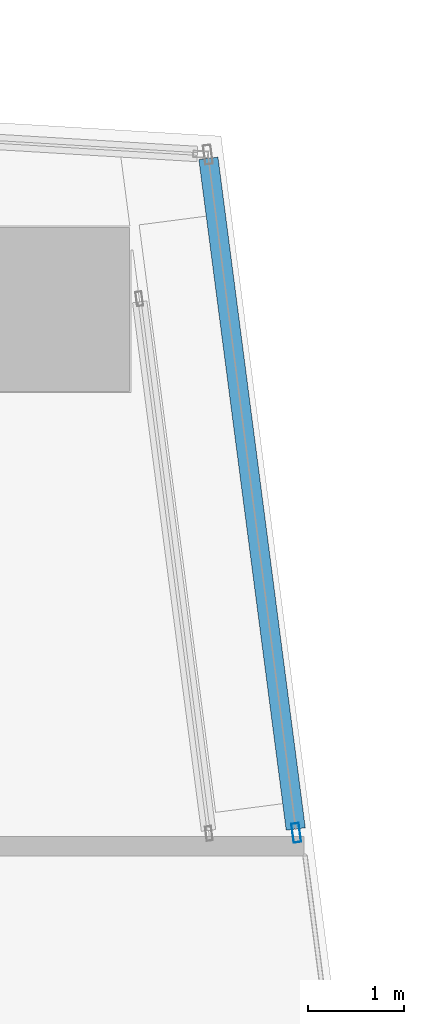
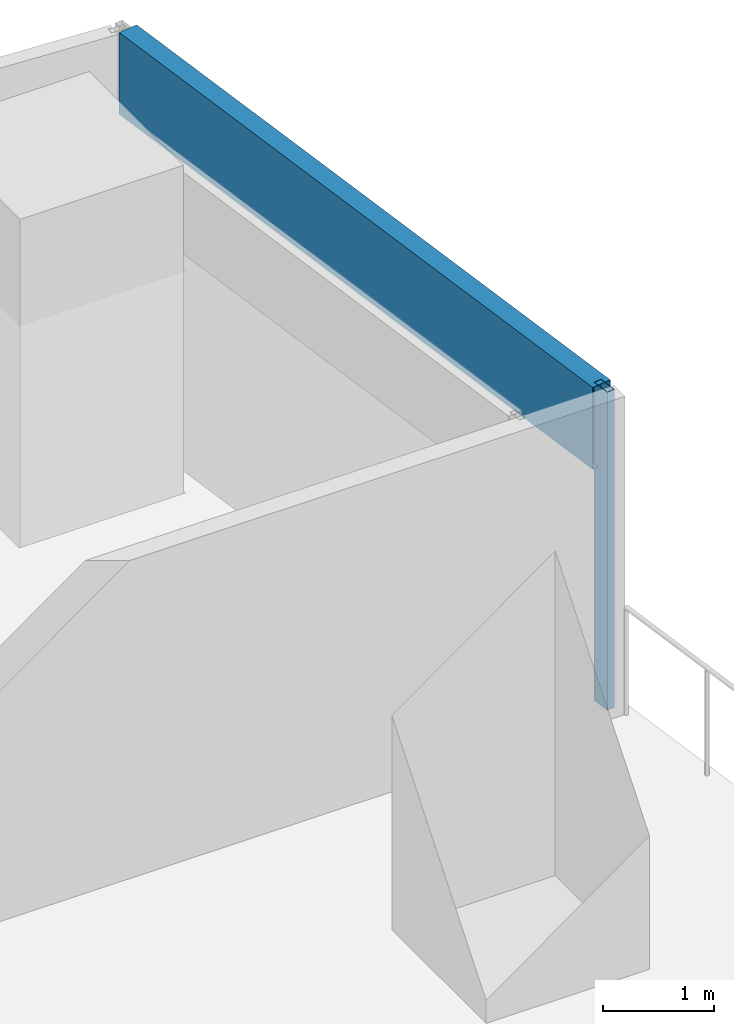
# One storey, part 26 of 40: 2 members, 1 element without a shape of its own.
"""IFC4 building model written with IfcOpenShell, lengths in metres."""

from ifc_helpers import new_model, si_unit, direction, frame, origin, origin_2d, place, context, subcontext, project, spatial, hollow_rectangle, extrude, material, material_profile, profile_set, type_object, element, aggregate, save


model = new_model("IFC4")

# Units and contexts
model_context = context("Model", 3, precision=1e-05, world=origin(), true_north=direction((0.0, 1.0)))
body_context = subcontext(model_context, "Body", "Model", "MODEL_VIEW")
ifc_project = project(units=[si_unit("LENGTHUNIT", "METRE"), si_unit("AREAUNIT", "SQUARE_METRE"), si_unit("VOLUMEUNIT", "CUBIC_METRE"), si_unit("PLANEANGLEUNIT", "RADIAN"), si_unit("MASSUNIT", "GRAM", prefix="KILO")], contexts=[model_context])

# Site, building, storey
site_placement = place(None, origin())
site = spatial("IfcSite", under=ifc_project, at=site_placement, CompositionType="ELEMENT")
building_placement = place(site_placement, origin())
building = spatial("IfcBuilding", under=site, at=building_placement, Name="Rekha Terrace Tower", CompositionType="ELEMENT")
storey_placement = place(building_placement, frame((0.0, 0.0, 129.050048828125)))
storey = spatial("IfcBuildingStorey", under=building, at=storey_placement, Name="L32", CompositionType="ELEMENT", Elevation=129.050048828125)

# Curtain wall, members
ifc_material_1 = material(Name="Aluminium framing", Category="aluminium")
curtain_wall_type = type_object("IfcCurtainWallType", Name="CW2 double skin outer glazing", PredefinedType="USERDEFINED", material=ifc_material_1)
curtain_wall_placement = place(storey_placement, origin())
curtain_wall = element("IfcCurtainWall", 1, at=curtain_wall_placement, inside=storey, type_object=curtain_wall_type, Name="CW2 double skin outer glazing", ObjectType="DOUBLE SKIN OUTER GLAZING", PredefinedType="USERDEFINED")
ifc_material_2 = material(Name="Aluminium mullion section", Category="aluminium")
ifc_material_profile_1 = material_profile(ifc_material_2, hollow_rectangle(XDim=0.080078125, YDim=0.199951171875, WallThickness=0.00390625, at=origin_2d()), Name="AL RHS 80x200")
ifc_profile_set_1 = profile_set([ifc_material_profile_1], Name="Aluminium mullion section")
member_type_1 = type_object("IfcMemberType", Name="CW2 mullion RHS 80 x 200", PredefinedType="MULLION", material=ifc_profile_set_1)
member_1_placement = place(storey_placement, frame((69.78076171875, 53.36474609375, 0.0), z_axis=(0.0, 0.0, 1.0), x_axis=(-0.991629186232, -0.12911838371, 0.0)))
member_1 = element("IfcMember", 2, at=member_1_placement, type_object=member_type_1, Name="CW2 mullion 1", PredefinedType="MULLION", context=body_context, shape_type="SweptSolid", body=[
    extrude(hollow_rectangle(XDim=0.080078125, YDim=0.199951171875, WallThickness=0.00390625, at=origin_2d()), origin(), (0.0, 0.0, 1.0), 3.5),
])
ifc_material_3 = material(Name="Insulated aluminium spandrel box", Category="aluminium")
ifc_material_profile_2 = material_profile(ifc_material_3, hollow_rectangle(XDim=0.199951171875, YDim=0.89990234375, WallThickness=0.0029296875, at=origin_2d()), Name="AL SPANDREL BOX 200x900")
ifc_profile_set_2 = profile_set([ifc_material_profile_2], Name="Insulated aluminium spandrel box")
member_type_2 = type_object("IfcMemberType", Name="CW2 spandrel transom 200 x 900", PredefinedType="USERDEFINED", material=ifc_profile_set_2)
member_2_placement = place(storey_placement, frame((69.775634765625, 53.404296875, 3.050048828125), z_axis=(-0.129137076594, 0.991626752084, 0.0), x_axis=(-0.991626752084, -0.129137076594, 0.0)))
member_2 = element("IfcMember", 3, at=member_2_placement, type_object=member_type_2, Name="CW2 spandrel transom 1", ObjectType="TRANSOM", PredefinedType="USERDEFINED", context=body_context, shape_type="SweptSolid", body=[
    extrude(hollow_rectangle(XDim=0.199951171875, YDim=0.89990234375, WallThickness=0.0029296875, at=origin_2d()), origin(), (0.0, 0.0, 1.0), 7.0234375),
])
aggregate(curtain_wall, [member_1, member_2])

save(model, "model.ifc")
